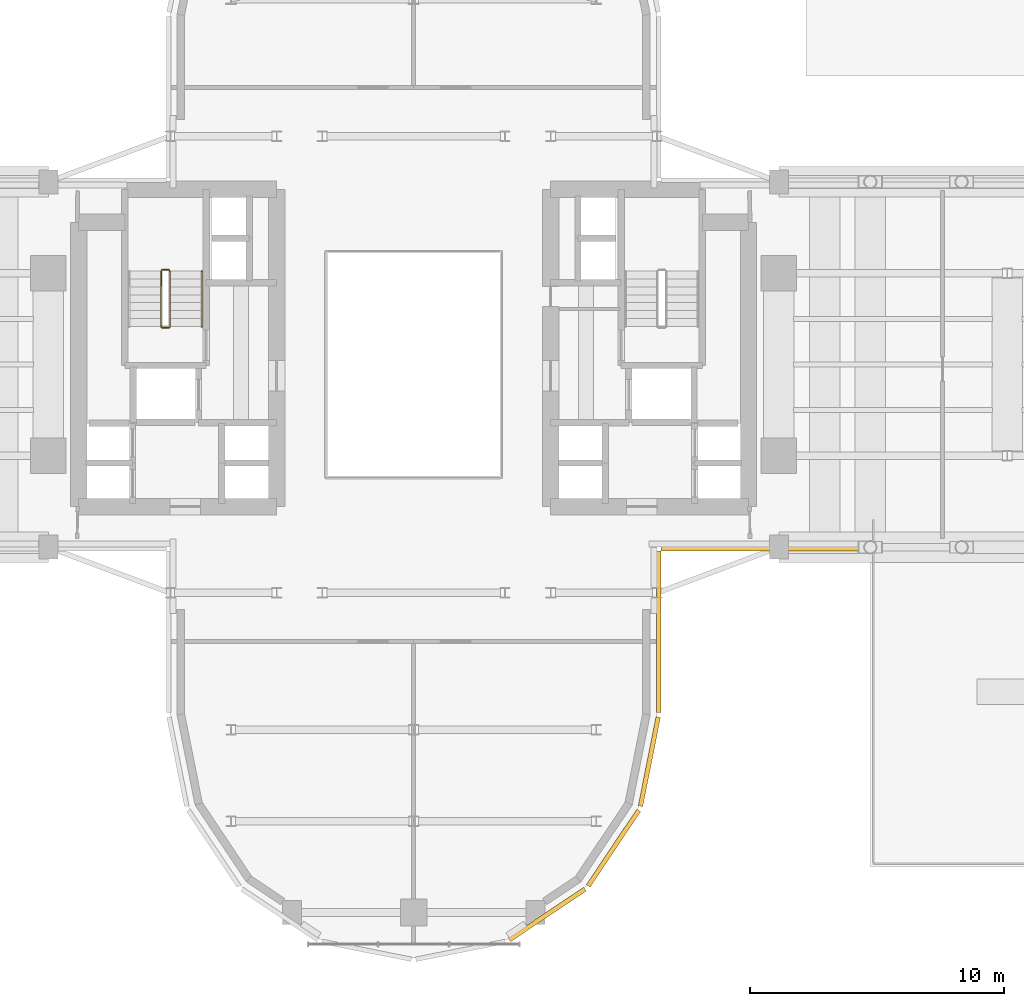
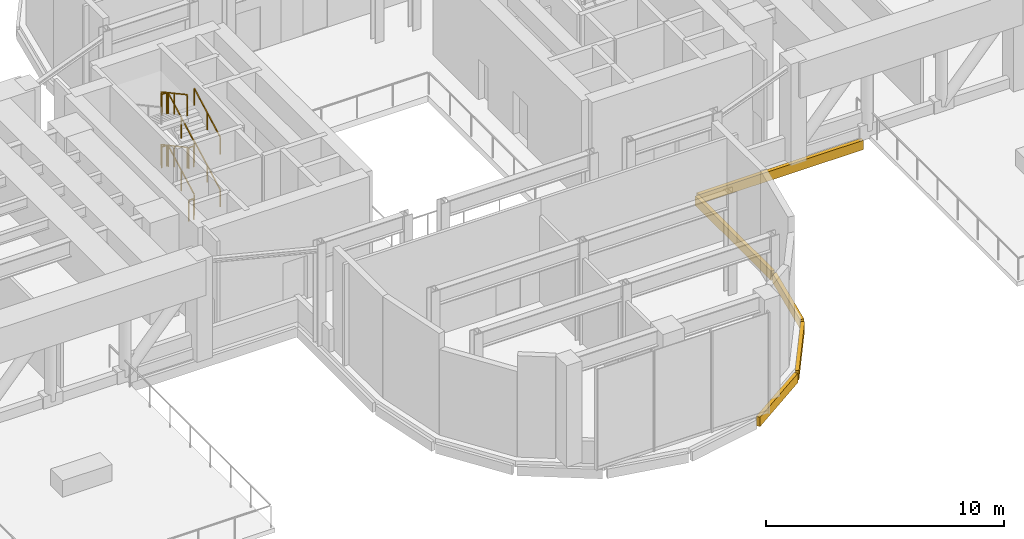
# One storey, part 13 of 16: 10 railings, 5 coverings.
"""IFC4 building model written with IfcOpenShell, lengths in metres."""

from ifc_helpers import new_model, si_unit, direction, frame, origin, origin_2d, place, context, subcontext, project, spatial, rectangle, extrude, source, transform, mapped, material, layer, layer_set, type_object, element, save


model = new_model("IFC4")

# Units and contexts
model_context = context("Model", 3, precision=1e-05, world=origin(), true_north=direction((0.0, 1.0)))
body_context = subcontext(model_context, "Body", "Model", "MODEL_VIEW")
ifc_project = project(units=[si_unit("LENGTHUNIT", "METRE"), si_unit("AREAUNIT", "SQUARE_METRE"), si_unit("VOLUMEUNIT", "CUBIC_METRE"), si_unit("PLANEANGLEUNIT", "RADIAN"), si_unit("MASSUNIT", "GRAM", prefix="KILO")], contexts=[model_context])

# Site, building, storey
site_placement = place(None, origin())
site = spatial("IfcSite", under=ifc_project, at=site_placement, CompositionType="ELEMENT")
building_placement = place(site_placement, origin())
building = spatial("IfcBuilding", under=site, at=building_placement, Name="Keilestroom Media Tower", CompositionType="ELEMENT")
storey_placement = place(building_placement, frame((0.0, 0.0, 25.199951171875)))
storey = spatial("IfcBuildingStorey", under=building, at=storey_placement, Name="L05", CompositionType="ELEMENT", Elevation=25.199951171875)

# Railings
ifc_material_1 = material(Name="Brushed Stainless Steel 1.4301", Category="steel")
railing_type_1 = type_object("IfcRailingType", Name="Stair-Pitch-Handrail-920", PredefinedType="HANDRAIL", material=ifc_material_1)
railing_1_placement = place(storey_placement, frame((-8.35009765625, 1.5, 0.168701171875)))
element("IfcRailing", 1, at=railing_1_placement, inside=storey, type_object=railing_type_1, Name="L05 ST-1 stair handrail 1", PredefinedType="HANDRAIL", context=body_context, shape_type="SweptSolid", body=[
    extrude(rectangle(XDim=0.048095703125, YDim=0.048095703125, at=origin_2d()), frame((0.0, 0.0, 0.8759765625), z_axis=(0.0, 0.879569751981, 0.475769956387), x_axis=(-1.0, 0.0, 0.0)), (0.0, 0.0, 1.0), 2.483154296875),
    extrude(rectangle(XDim=0.0419921875, YDim=0.0419921875, at=origin_2d()), origin(), (0.0, 0.0, 1.0), 0.84375),
    extrude(rectangle(XDim=0.0419921875, YDim=0.0419921875, at=origin_2d()), frame((0.0, 1.092041015625, 0.5908203125)), (0.0, 0.0, 1.0), 0.84375),
    extrude(rectangle(XDim=0.0419921875, YDim=0.0419921875, at=origin_2d()), frame((0.0, 2.18408203125, 1.181396484375)), (0.0, 0.0, 1.0), 0.84375),
])
railing_2_placement = place(storey_placement, frame((-8.35009765625, 1.5, 2.868896484375)))
element("IfcRailing", 2, at=railing_2_placement, inside=storey, type_object=railing_type_1, Name="L05 ST-1 stair handrail 3", PredefinedType="HANDRAIL", context=body_context, shape_type="SweptSolid", body=[
    extrude(rectangle(XDim=0.048095703125, YDim=0.048095703125, at=origin_2d()), frame((0.0, 0.0, 0.8759765625), z_axis=(0.0, 0.879610894823, 0.475693886559), x_axis=(-1.0, 0.0, 0.0)), (0.0, 0.0, 1.0), 2.48291015625),
    extrude(rectangle(XDim=0.0419921875, YDim=0.0419921875, at=origin_2d()), origin(), (0.0, 0.0, 1.0), 0.84375),
    extrude(rectangle(XDim=0.0419921875, YDim=0.0419921875, at=origin_2d()), frame((0.0, 1.092041015625, 0.590576171875)), (0.0, 0.0, 1.0), 0.84375),
    extrude(rectangle(XDim=0.0419921875, YDim=0.0419921875, at=origin_2d()), frame((0.0, 2.18408203125, 1.18115234375)), (0.0, 0.0, 1.0), 0.84375),
])
ifc_material_2 = material(Name="Painted Steel Balustrade", Category="steel")
railing_type_2 = type_object("IfcRailingType", Name="Stair-Well-And-Landing-Guard-1100", PredefinedType="GUARDRAIL", material=ifc_material_2)
railing_3_placement = place(storey_placement, frame((-9.610107421875, 1.5, 0.168701171875)))
element("IfcRailing", 3, at=railing_3_placement, inside=storey, type_object=railing_type_2, Name="L05 ST-1 stair guard 1", PredefinedType="GUARDRAIL", context=body_context, shape_type="SweptSolid", body=[
    extrude(rectangle(XDim=0.048095703125, YDim=0.048095703125, at=origin_2d()), frame((0.0, 0.0, 1.076171875), z_axis=(0.0, 0.879569751981, 0.475769956387), x_axis=(-1.0, 0.0, 0.0)), (0.0, 0.0, 1.0), 2.483154296875),
    extrude(rectangle(XDim=0.0419921875, YDim=0.0419921875, at=origin_2d()), origin(), (0.0, 0.0, 1.0), 1.0439453125),
    extrude(rectangle(XDim=0.0419921875, YDim=0.0419921875, at=origin_2d()), frame((0.0, 1.092041015625, 0.5908203125)), (0.0, 0.0, 1.0), 1.0439453125),
    extrude(rectangle(XDim=0.0419921875, YDim=0.0419921875, at=origin_2d()), frame((0.0, 2.18408203125, 1.181396484375)), (0.0, 0.0, 1.0), 1.0439453125),
])
railing_4_placement = place(storey_placement, frame((-9.659912109375, 3.73388671875, 1.35009765625)))
element("IfcRailing", 4, at=railing_4_placement, inside=storey, type_object=railing_type_2, Name="L05 ST-1 stair guard 2", PredefinedType="GUARDRAIL", context=body_context, shape_type="SweptSolid", body=[
    extrude(rectangle(XDim=0.048095703125, YDim=0.048095703125, at=origin_2d()), frame((0.0, 0.0, 1.076171875), z_axis=(-1.0, 0.0, 0.0), x_axis=(0.0, -1.0, 0.0)), (0.0, 0.0, 1.0), 0.239990234375),
    extrude(rectangle(XDim=0.0419921875, YDim=0.0419921875, at=origin_2d()), origin(), (0.0, 0.0, 1.0), 1.0439453125),
    extrude(rectangle(XDim=0.0419921875, YDim=0.0419921875, at=origin_2d()), frame((-0.239990234375, 0.0, 0.0)), (0.0, 0.0, 1.0), 1.0439453125),
])
railing_5_placement = place(storey_placement, frame((-9.949951171875, 3.68408203125, 1.518798828125)))
element("IfcRailing", 5, at=railing_5_placement, inside=storey, type_object=railing_type_2, Name="L05 ST-1 stair guard 3", PredefinedType="GUARDRAIL", context=body_context, shape_type="SweptSolid", body=[
    extrude(rectangle(XDim=0.048095703125, YDim=0.048095703125, at=origin_2d()), frame((0.0, 0.0, 1.076171875), z_axis=(0.0, -0.879610894823, 0.475693886559), x_axis=(1.0, 0.0, 0.0)), (0.0, 0.0, 1.0), 2.48291015625),
    extrude(rectangle(XDim=0.0419921875, YDim=0.0419921875, at=origin_2d()), origin(), (0.0, 0.0, 1.0), 1.0439453125),
    extrude(rectangle(XDim=0.0419921875, YDim=0.0419921875, at=origin_2d()), frame((0.0, -1.092041015625, 0.590576171875)), (0.0, 0.0, 1.0), 1.0439453125),
    extrude(rectangle(XDim=0.0419921875, YDim=0.0419921875, at=origin_2d()), frame((0.0, -2.18408203125, 1.18115234375)), (0.0, 0.0, 1.0), 1.0439453125),
])
railing_6_placement = place(storey_placement, frame((-9.659912109375, 1.449951171875, 2.699951171875)))
element("IfcRailing", 6, at=railing_6_placement, inside=storey, type_object=railing_type_2, Name="L05 ST-1 stair guard 4", PredefinedType="GUARDRAIL", context=body_context, shape_type="SweptSolid", body=[
    extrude(rectangle(XDim=0.048095703125, YDim=0.048095703125, at=origin_2d()), frame((0.0, 0.0, 1.076171875), z_axis=(-1.0, 0.0, 0.0), x_axis=(0.0, -1.0, 0.0)), (0.0, 0.0, 1.0), 0.239990234375),
    extrude(rectangle(XDim=0.0419921875, YDim=0.0419921875, at=origin_2d()), origin(), (0.0, 0.0, 1.0), 1.0439453125),
    extrude(rectangle(XDim=0.0419921875, YDim=0.0419921875, at=origin_2d()), frame((-0.239990234375, 0.0, 0.0)), (0.0, 0.0, 1.0), 1.0439453125),
])
railing_7_placement = place(storey_placement, frame((-9.610107421875, 1.5, 2.868896484375)))
element("IfcRailing", 7, at=railing_7_placement, inside=storey, type_object=railing_type_2, Name="L05 ST-1 stair guard 5", PredefinedType="GUARDRAIL", context=body_context, shape_type="SweptSolid", body=[
    extrude(rectangle(XDim=0.048095703125, YDim=0.048095703125, at=origin_2d()), frame((0.0, 0.0, 1.076171875), z_axis=(0.0, 0.879610894823, 0.475693886559), x_axis=(-1.0, 0.0, 0.0)), (0.0, 0.0, 1.0), 2.48291015625),
    extrude(rectangle(XDim=0.0419921875, YDim=0.0419921875, at=origin_2d()), origin(), (0.0, 0.0, 1.0), 1.0439453125),
    extrude(rectangle(XDim=0.0419921875, YDim=0.0419921875, at=origin_2d()), frame((0.0, 1.092041015625, 0.590576171875)), (0.0, 0.0, 1.0), 1.0439453125),
    extrude(rectangle(XDim=0.0419921875, YDim=0.0419921875, at=origin_2d()), frame((0.0, 2.18408203125, 1.18115234375)), (0.0, 0.0, 1.0), 1.0439453125),
])
railing_8_placement = place(storey_placement, frame((-9.659912109375, 3.73388671875, 4.050048828125)))
element("IfcRailing", 8, at=railing_8_placement, inside=storey, type_object=railing_type_2, Name="L05 ST-1 stair guard 6", PredefinedType="GUARDRAIL", context=body_context, shape_type="SweptSolid", body=[
    extrude(rectangle(XDim=0.048095703125, YDim=0.048095703125, at=origin_2d()), frame((0.0, 0.0, 1.076171875), z_axis=(-1.0, 0.0, 0.0), x_axis=(0.0, -1.0, 0.0)), (0.0, 0.0, 1.0), 0.239990234375),
    extrude(rectangle(XDim=0.0419921875, YDim=0.0419921875, at=origin_2d()), origin(), (0.0, 0.0, 1.0), 1.0439453125),
    extrude(rectangle(XDim=0.0419921875, YDim=0.0419921875, at=origin_2d()), frame((-0.239990234375, 0.0, 0.0)), (0.0, 0.0, 1.0), 1.0439453125),
])
railing_9_placement = place(storey_placement, frame((-9.949951171875, 3.68408203125, 4.21875)))
element("IfcRailing", 9, at=railing_9_placement, inside=storey, type_object=railing_type_2, Name="L05 ST-1 stair guard 7", PredefinedType="GUARDRAIL", context=body_context, shape_type="SweptSolid", body=[
    extrude(rectangle(XDim=0.048095703125, YDim=0.048095703125, at=origin_2d()), frame((0.0, 0.0, 1.076171875), z_axis=(0.0, -0.879569751981, 0.475769956387), x_axis=(1.0, 0.0, 0.0)), (0.0, 0.0, 1.0), 2.483154296875),
    extrude(rectangle(XDim=0.0419921875, YDim=0.0419921875, at=origin_2d()), origin(), (0.0, 0.0, 1.0), 1.0439453125),
    extrude(rectangle(XDim=0.0419921875, YDim=0.0419921875, at=origin_2d()), frame((0.0, -1.092041015625, 0.5908203125)), (0.0, 0.0, 1.0), 1.0439453125),
    extrude(rectangle(XDim=0.0419921875, YDim=0.0419921875, at=origin_2d()), frame((0.0, -2.18408203125, 1.181396484375)), (0.0, 0.0, 1.0), 1.0439453125),
])
railing_10_placement = place(storey_placement, frame((-9.659912109375, 1.449951171875, 0.0)))
element("IfcRailing", 10, at=railing_10_placement, inside=storey, type_object=railing_type_2, Name="L05 ST-1 stair guard 8", PredefinedType="GUARDRAIL", context=body_context, shape_type="SweptSolid", body=[
    extrude(rectangle(XDim=0.048095703125, YDim=0.048095703125, at=origin_2d()), frame((0.0, 0.0, 1.076171875), z_axis=(-1.0, 0.0, 0.0), x_axis=(0.0, -1.0, 0.0)), (0.0, 0.0, 1.0), 0.239990234375),
    extrude(rectangle(XDim=0.0419921875, YDim=0.0419921875, at=origin_2d()), origin(), (0.0, 0.0, 1.0), 1.0439453125),
    extrude(rectangle(XDim=0.0419921875, YDim=0.0419921875, at=origin_2d()), frame((-0.239990234375, 0.0, 0.0)), (0.0, 0.0, 1.0), 1.0439453125),
])

# Coverings
ifc_material_3 = material(Name="Precast concrete C40/50", Category="concrete")
ifc_layer = layer(ifc_material_3, 0.1201171875)
ifc_layer_set = layer_set([ifc_layer], Name="Precast concrete C40/50")
covering_type = type_object("IfcCoveringType", Name="Exterior-Precast-Spandrel-Cladding-Panel-120", PredefinedType="CLADDING", material=ifc_layer_set)
shared_shape_1 = source(origin(), body_context, "Body", "SweptSolid", [
    extrude(rectangle(XDim=7.97998046875, YDim=0.179931640625, at=origin_2d()), origin(), (0.0, 0.0, 1.0), 0.47998046875),
])
covering_1_placement = place(storey_placement, frame((13.739990234375, -7.260009765625, -0.659912109375), z_axis=(0.0, 0.0, 1.0), x_axis=(-1.0, 0.0, 0.0)))
element("IfcCovering", 11, at=covering_1_placement, inside=storey, type_object=covering_type, Name="L05 Precast Slab-Edge Fascia Cornice 03", PredefinedType="CLADDING", context=body_context, shape_type="MappedRepresentation", body=[
    mapped(shared_shape_1, transform((0.0, 0.0, 0.0), x_axis=(1.0, 0.0, 0.0), y_axis=(0.0, 1.0, 0.0), z_axis=(0.0, 0.0, 1.0), scale=1.0)),
])
shared_shape_2 = source(origin(), body_context, "Body", "SweptSolid", [
    extrude(rectangle(XDim=6.365966796875, YDim=0.179931640625, at=origin_2d()), origin(), (0.0, 0.0, 1.0), 0.47998046875),
])
covering_2_placement = place(storey_placement, frame((9.659912109375, -10.532958984375, -0.659912109375), z_axis=(0.0, 0.0, 1.0), x_axis=(0.0, -1.0, 0.0)))
element("IfcCovering", 12, at=covering_2_placement, inside=storey, type_object=covering_type, Name="L05 Precast Slab-Edge Fascia Cornice 04", PredefinedType="CLADDING", context=body_context, shape_type="MappedRepresentation", body=[
    mapped(shared_shape_2, transform((0.0, 0.0, 0.0), x_axis=(1.0, 0.0, 0.0), y_axis=(0.0, 1.0, 0.0), z_axis=(0.0, 0.0, 1.0), scale=1.0)),
])
shared_shape_3 = source(origin(), body_context, "Body", "SweptSolid", [
    extrude(rectangle(XDim=3.58349609375, YDim=0.179931640625, at=origin_2d()), origin(), (0.0, 0.0, 1.0), 0.47998046875),
])
covering_3_placement = place(storey_placement, frame((9.29296875, -15.651611328125, -0.659912109375), z_axis=(0.0, 0.0, 1.0), x_axis=(-0.195098880975, -0.980783577882, 0.0)))
element("IfcCovering", 13, at=covering_3_placement, inside=storey, type_object=covering_type, Name="L05 Precast Slab-Edge Fascia Cornice 05", PredefinedType="CLADDING", context=body_context, shape_type="MappedRepresentation", body=[
    mapped(shared_shape_3, transform((0.0, 0.0, 0.0), x_axis=(1.0, 0.0, 0.0), y_axis=(0.0, 1.0, 0.0), z_axis=(0.0, 0.0, 1.0), scale=1.0)),
])
shared_shape_4 = source(origin(), body_context, "Body", "SweptSolid", [
    extrude(rectangle(XDim=3.589599609375, YDim=0.179931640625, at=origin_2d()), origin(), (0.0, 0.0, 1.0), 0.47998046875),
])
for number, where, z_axis, x_axis, name in (
    (14, (7.878662109375, -19.064208984375, -0.659912109375), (0.0, 0.0, 1.0), (-0.555574586577, -0.831466703332, 0.0), "L05 Precast Slab-Edge Fascia Cornice 06"),
    (15, (5.264404296875, -21.6787109375, -0.659912109375), (0.0, 0.0, 1.0), (-0.831466703332, -0.555574586577, 0.0), "L05 Precast Slab-Edge Fascia Cornice 07"),
):
    element("IfcCovering", number, at=place(storey_placement, frame(where, z_axis=z_axis, x_axis=x_axis)), inside=storey, type_object=covering_type, Name=name, PredefinedType="CLADDING", context=body_context, shape_type="MappedRepresentation", body=[
        mapped(shared_shape_4, transform((0.0, 0.0, 0.0), x_axis=(1.0, 0.0, 0.0), y_axis=(0.0, 1.0, 0.0), z_axis=(0.0, 0.0, 1.0), scale=1.0)),
    ])

save(model, "model.ifc")
